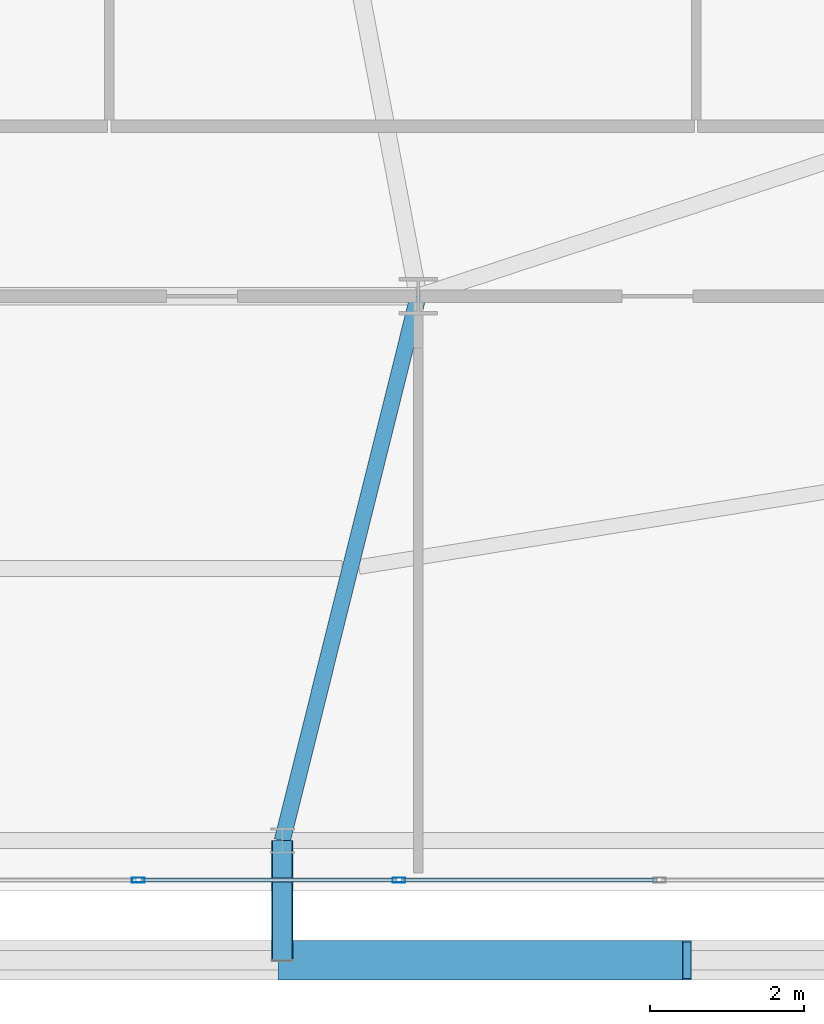
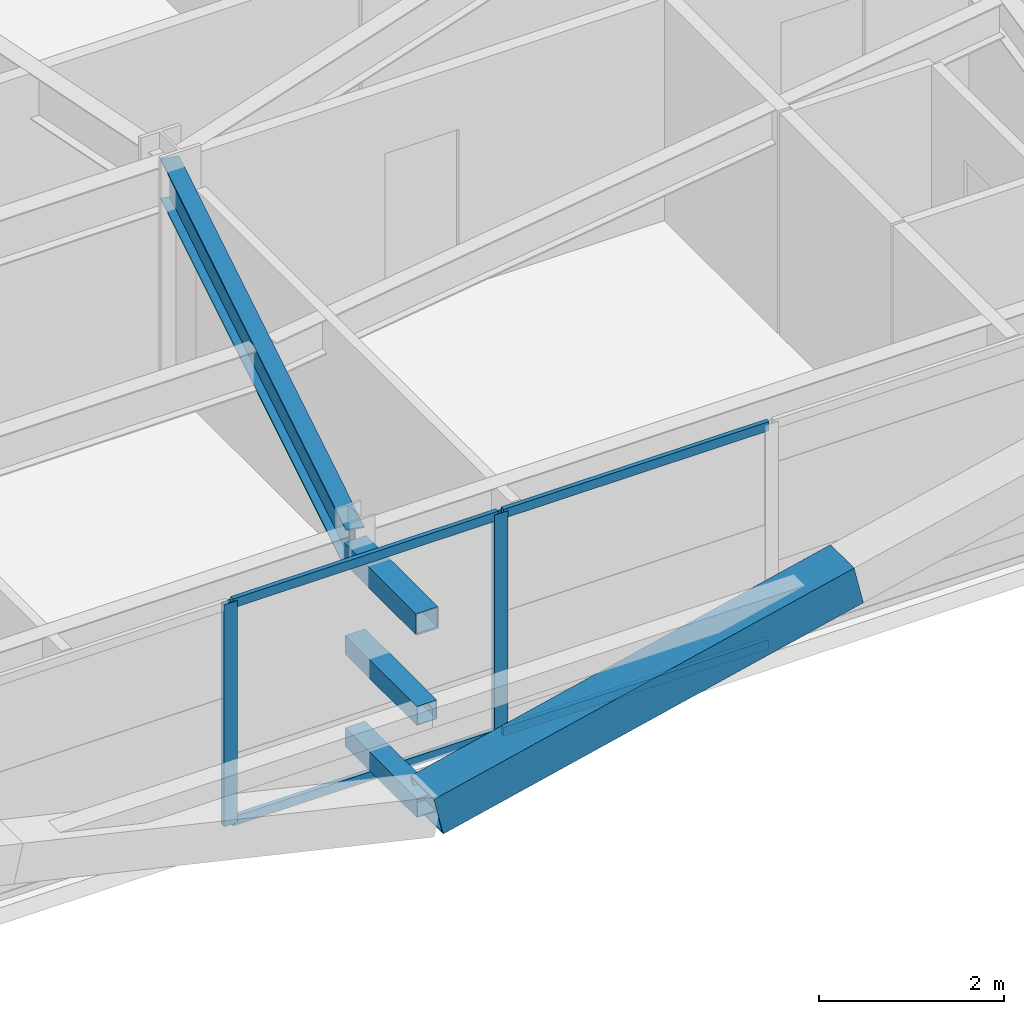
# One storey, part 20 of 58: 10 members, 1 beam, 1 element without a shape of its own.
"""IFC4 building model written with IfcOpenShell, lengths in metres."""

from ifc_helpers import new_model, si_unit, direction, frame, origin, origin_2d, place, context, subcontext, project, spatial, hollow_rectangle, i_section, extrude, source, transform, mapped, material, layer, layer_set, material_profile, profile_set, type_object, element, aggregate, save


model = new_model("IFC4")

# Units and contexts
model_context = context("Model", 3, precision=1e-05, world=origin(), true_north=direction((0.0, 1.0)))
body_context = subcontext(model_context, "Body", "Model", "MODEL_VIEW")
ifc_project = project(units=[si_unit("LENGTHUNIT", "METRE"), si_unit("AREAUNIT", "SQUARE_METRE"), si_unit("VOLUMEUNIT", "CUBIC_METRE"), si_unit("PLANEANGLEUNIT", "RADIAN"), si_unit("MASSUNIT", "GRAM", prefix="KILO")], contexts=[model_context])

# Site, building, storey
site_placement = place(None, origin())
site = spatial("IfcSite", under=ifc_project, at=site_placement, CompositionType="ELEMENT")
building_placement = place(site_placement, origin())
building = spatial("IfcBuilding", under=site, at=building_placement, Name="Taldren Reach Tower", CompositionType="ELEMENT")
storey_placement = place(building_placement, frame((0.0, 0.0, 51.449951171875)))
storey = spatial("IfcBuildingStorey", under=building, at=storey_placement, Name="L15", CompositionType="ELEMENT", Elevation=51.449951171875)

# Beam
ifc_material_1 = material(Name="Steel Gr 350 (350PLUS)", Category="steel")
ifc_material_profile_1 = material_profile(ifc_material_1, i_section(OverallWidth=0.208984375, OverallDepth=0.532958984375, WebThickness=0.01025390625, FlangeThickness=0.015625, at=origin_2d()), Name="530UB92.4")
ifc_profile_set_1 = profile_set([ifc_material_profile_1], Name="Steel Gr 350 (350PLUS)")
beam_type = type_object("IfcBeamType", Name="BM-UB530A", PredefinedType="BEAM", material=ifc_profile_set_1)
shared_shape_1 = source(origin(), body_context, "Body", "SweptSolid", [
    extrude(i_section(OverallWidth=0.208984375, OverallDepth=0.532958984375, WebThickness=0.01025390625, FlangeThickness=0.015625, at=origin_2d()), origin(), (0.0, 0.0, 1.0), 7.266357421875),
])
beam_placement = place(storey_placement, frame((42.0, 9.199951171875, 2.66357421875), z_axis=(-0.24221148493, -0.970223477642, 0.0), x_axis=(0.970223477642, -0.24221148493, 0.0)))
element("IfcBeam", 1, at=beam_placement, inside=storey, type_object=beam_type, Name="Primary floor girder B1-S4 L15", PredefinedType="BEAM", context=body_context, shape_type="MappedRepresentation", body=[
    mapped(shared_shape_1, transform((0.0, 0.0, 0.0), scale=1.0)),
])

# Members
ifc_material_2 = material(Name="Steel Gr 450 (C450L0)", Category="steel")
ifc_material_profile_2 = material_profile(ifc_material_2, hollow_rectangle(XDim=0.27490234375, YDim=0.27490234375, WallThickness=0.00927734375, at=origin_2d()), Name="275x275x9.3SHS")
ifc_profile_set_2 = profile_set([ifc_material_profile_2], Name="Steel Gr 450 (C450L0)")
member_type_1 = type_object("IfcMemberType", Name="MB-TIE273", PredefinedType="STRUT", material=ifc_profile_set_2)
shared_shape_2 = source(origin(), body_context, "Body", "SweptSolid", [
    extrude(hollow_rectangle(XDim=0.27490234375, YDim=0.27490234375, WallThickness=0.00927734375, at=origin_2d()), origin(), (0.0, 0.0, 1.0), 1.5498046875),
])
member_1_placement = place(storey_placement, frame((40.239990234375, 2.14990234375, 2.650146484375), z_axis=(0.0, -1.0, 0.0), x_axis=(1.0, 0.0, 0.0)))
element("IfcMember", 2, at=member_1_placement, inside=storey, type_object=member_type_1, Name="Exoskeleton diaphragm tie strut B1-S4 L15", PredefinedType="STRUT", context=body_context, shape_type="MappedRepresentation", body=[
    mapped(shared_shape_2, transform((0.0, 0.0, 0.0), scale=1.0)),
])
ifc_material_profile_3 = material_profile(ifc_material_2, hollow_rectangle(XDim=0.510009765625, YDim=0.510009765625, WallThickness=0.02001953125, at=origin_2d()), Name="510x510x20.0SHS")
ifc_profile_set_3 = profile_set([ifc_material_profile_3], Name="Steel Gr 450 (C450L0)")
member_type_2 = type_object("IfcMemberType", Name="MB-EXO508", PredefinedType="BRACE", material=ifc_profile_set_3)
shared_shape_3 = source(origin(), body_context, "Body", "SweptSolid", [
    extrude(hollow_rectangle(XDim=0.510009765625, YDim=0.510009765625, WallThickness=0.02001953125, at=origin_2d()), origin(), (0.0, 0.0, 1.0), 5.37890625),
])
member_2_placement = place(storey_placement, frame((40.239990234375, 0.60009765625, 0.219970703125), z_axis=(0.97415197996, 0.0, 0.225893603143), x_axis=(0.0, 1.0, 0.0)))
element("IfcMember", 3, at=member_2_placement, inside=storey, type_object=member_type_2, Name="Exoskeleton Diagrid Brace B1-S4 L15", PredefinedType="BRACE", context=body_context, shape_type="MappedRepresentation", body=[
    mapped(shared_shape_3, transform((0.0, 0.0, 0.0), scale=1.0)),
])
ifc_material_3 = material(Name="Steel Gr 350 (C350L0)", Category="steel")
ifc_material_profile_4 = material_profile(ifc_material_3, hollow_rectangle(XDim=0.25, YDim=0.25, WallThickness=0.010009765625, at=origin_2d()), Name="250x250x10.0SHS")
ifc_profile_set_4 = profile_set([ifc_material_profile_4], Name="Steel Gr 350 (C350L0)")
member_type_3 = type_object("IfcMemberType", Name="MB-POST250", PredefinedType="POST", material=ifc_profile_set_4)
shared_shape_4 = source(origin(), body_context, "Body", "SweptSolid", [
    extrude(hollow_rectangle(XDim=0.25, YDim=0.25, WallThickness=0.010009765625, at=origin_2d()), origin(), (0.0, 0.0, 1.0), 1.5498046875),
])
for number, where, z_axis, x_axis, name in (
    (4, (40.239990234375, 2.14990234375, 0.219970703125), (0.0, -1.0, 0.0), (1.0, 0.0, 0.0), "Exoskeleton base diaphragm tie strut B1-S4 L15"),
    (5, (40.239990234375, 2.14990234375, 1.43505859375), (0.0, -1.0, 0.0), (1.0, 0.0, 0.0), "Exoskeleton mid-tier diaphragm tie B1-S4 L15"),
):
    element("IfcMember", number, at=place(storey_placement, frame(where, z_axis=z_axis, x_axis=x_axis)), inside=storey, type_object=member_type_3, Name=name, PredefinedType="POST", context=body_context, shape_type="MappedRepresentation", body=[
        mapped(shared_shape_4, transform((0.0, 0.0, 0.0), scale=1.0)),
    ])

# Curtain wall, members
ifc_material_4 = material(Name="Aluminium and Low-E Glass Unitised System", Category="aluminium")
ifc_layer = layer(ifc_material_4, 0.159912109375)
ifc_layer_set = layer_set([ifc_layer], Name="Aluminium and Low-E Glass Unitised System")
curtain_wall_type = type_object("IfcCurtainWallType", Name="CW-SYS-2", PredefinedType="NOTDEFINED", material=ifc_layer_set)
curtain_wall_placement = place(storey_placement, origin())
curtain_wall = element("IfcCurtainWall", 6, at=curtain_wall_placement, inside=storey, type_object=curtain_wall_type, Name="Unitised curtain wall CW-L15-S", PredefinedType="NOTDEFINED")
ifc_material_5 = material(Name="Anodised Aluminium 6063-T6", Category="aluminium")
ifc_material_profile_5 = material_profile(ifc_material_5, hollow_rectangle(XDim=0.06494140625, YDim=0.1650390625, WallThickness=0.00390625, at=origin_2d()), Name="ALU-165x65x4RHS")
ifc_profile_set_5 = profile_set([ifc_material_profile_5], Name="Anodised Aluminium 6063-T6")
member_type_4 = type_object("IfcMemberType", Name="CW-MUL-165", PredefinedType="MULLION", material=ifc_profile_set_5)
shared_shape_5 = source(origin(), body_context, "Body", "SweptSolid", [
    extrude(hollow_rectangle(XDim=0.06494140625, YDim=0.1650390625, WallThickness=0.00390625, at=origin_2d()), origin(), (0.0, 0.0, 1.0), 2.929931640625),
])
member_3_placement = place(storey_placement, frame((38.375, 1.639892578125, 0.0), z_axis=(0.0, 0.0, 1.0), x_axis=(0.0, 1.0, 0.0)))
member_3 = element("IfcMember", 7, at=member_3_placement, type_object=member_type_4, Name="CW-2 mullion 10", PredefinedType="MULLION", context=body_context, shape_type="MappedRepresentation", body=[
    mapped(shared_shape_5, transform((0.0, 0.0, 0.0), scale=1.0)),
])
member_4_placement = place(storey_placement, frame((41.75, 1.639892578125, 0.0), z_axis=(0.0, 0.0, 1.0), x_axis=(0.0, 1.0, 0.0)))
member_4 = element("IfcMember", 8, at=member_4_placement, type_object=member_type_4, Name="CW-2 mullion 11", PredefinedType="MULLION", context=body_context, shape_type="MappedRepresentation", body=[
    mapped(shared_shape_5, transform((0.0, 0.0, 0.0), scale=1.0)),
])
ifc_material_profile_6 = material_profile(ifc_material_5, hollow_rectangle(XDim=0.054931640625, YDim=0.1201171875, WallThickness=0.0029296875, at=origin_2d()), Name="ALU-120x55x3RHS")
ifc_profile_set_6 = profile_set([ifc_material_profile_6], Name="Anodised Aluminium 6063-T6")
member_type_5 = type_object("IfcMemberType", Name="CW-TRN-135", PredefinedType="USERDEFINED", material=ifc_profile_set_6)
shared_shape_6 = source(origin(), body_context, "Body", "SweptSolid", [
    extrude(hollow_rectangle(XDim=0.054931640625, YDim=0.1201171875, WallThickness=0.0029296875, at=origin_2d()), origin(), (0.0, 0.0, 1.0), 3.31005859375),
])
member_5_placement = place(storey_placement, frame((38.407470703125, 1.639892578125, 0.027587890625), z_axis=(1.0, 0.0, 0.0), x_axis=(0.0, 1.0, 0.0)))
member_5 = element("IfcMember", 9, at=member_5_placement, type_object=member_type_5, Name="CW-2 transom 10.1", ObjectType="TRANSOM", PredefinedType="USERDEFINED", context=body_context, shape_type="MappedRepresentation", body=[
    mapped(shared_shape_6, transform((0.0, 0.0, 0.0), scale=1.0)),
])
member_6_placement = place(storey_placement, frame((38.407470703125, 1.639892578125, 2.902587890625), z_axis=(1.0, 0.0, 0.0), x_axis=(0.0, 1.0, 0.0)))
member_6 = element("IfcMember", 10, at=member_6_placement, type_object=member_type_5, Name="CW-2 transom 10.2", ObjectType="TRANSOM", PredefinedType="USERDEFINED", context=body_context, shape_type="MappedRepresentation", body=[
    mapped(shared_shape_6, transform((0.0, 0.0, 0.0), scale=1.0)),
])
member_7_placement = place(storey_placement, frame((41.782470703125, 1.639892578125, 0.027587890625), z_axis=(1.0, 0.0, 0.0), x_axis=(0.0, 1.0, 0.0)))
member_7 = element("IfcMember", 11, at=member_7_placement, type_object=member_type_5, Name="CW-2 transom 11.1", ObjectType="TRANSOM", PredefinedType="USERDEFINED", context=body_context, shape_type="MappedRepresentation", body=[
    mapped(shared_shape_6, transform((0.0, 0.0, 0.0), scale=1.0)),
])
member_8_placement = place(storey_placement, frame((41.782470703125, 1.639892578125, 2.902587890625), z_axis=(1.0, 0.0, 0.0), x_axis=(0.0, 1.0, 0.0)))
member_8 = element("IfcMember", 12, at=member_8_placement, type_object=member_type_5, Name="CW-2 transom 11.2", ObjectType="TRANSOM", PredefinedType="USERDEFINED", context=body_context, shape_type="MappedRepresentation", body=[
    mapped(shared_shape_6, transform((0.0, 0.0, 0.0), scale=1.0)),
])
aggregate(curtain_wall, [member_3, member_4, member_5, member_6, member_7, member_8])

save(model, "model.ifc")
